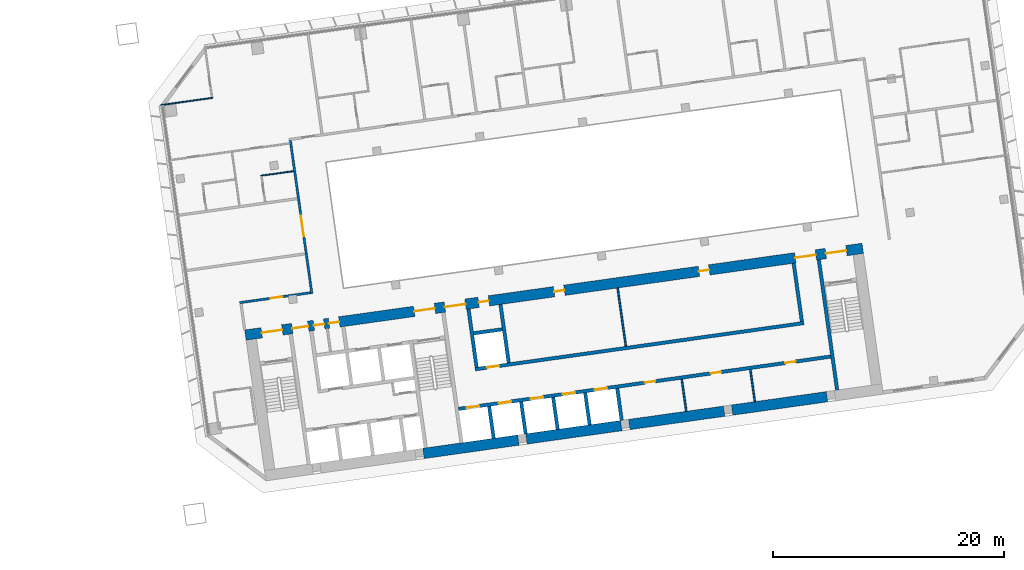
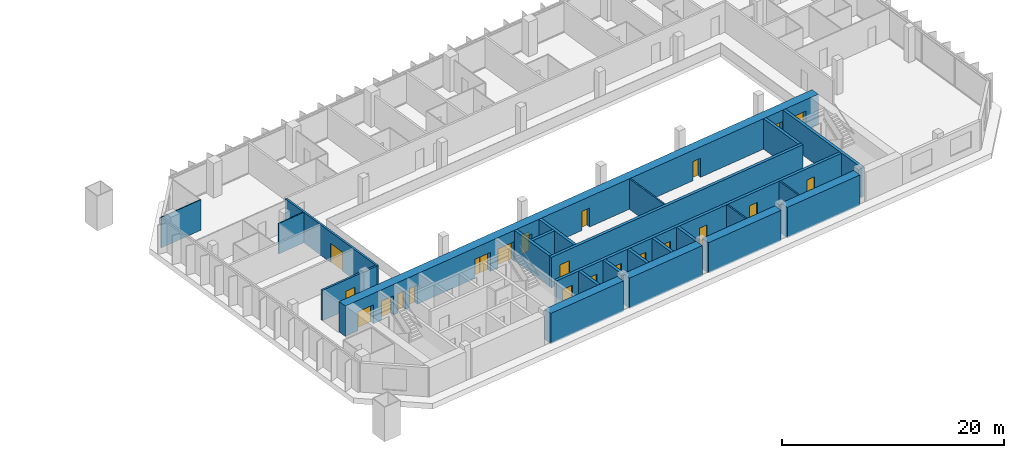
# One storey, part 19 of 24: 24 walls, 22 doors, 22 openings.
"""IFC4 building model written with IfcOpenShell, lengths in metres."""

from ifc_helpers import new_model, si_unit, direction, frame, frame_2d, origin, place, context, subcontext, project, spatial, rectangle, extrude, material, layer, layer_set, type_object, element, fill, save


model = new_model("IFC4")

# Units and contexts
model_context = context("Model", 3, precision=1e-05, world=origin(), true_north=direction((0.0, 1.0)))
body_context = subcontext(model_context, "Body", "Model", "MODEL_VIEW")
ifc_project = project(units=[si_unit("LENGTHUNIT", "METRE"), si_unit("AREAUNIT", "SQUARE_METRE"), si_unit("VOLUMEUNIT", "CUBIC_METRE"), si_unit("PLANEANGLEUNIT", "RADIAN"), si_unit("MASSUNIT", "GRAM", prefix="KILO")], contexts=[model_context])

# Site, building, storey
site_placement = place(None, origin())
site = spatial("IfcSite", under=ifc_project, at=site_placement, CompositionType="ELEMENT")
building_placement = place(site_placement, origin())
building = spatial("IfcBuilding", under=site, at=building_placement, Name="Mirante Cascada Hotel Towers", CompositionType="ELEMENT")
storey_placement = place(building_placement, frame((0.0, 0.0, 85.1)))
storey = spatial("IfcBuildingStorey", under=building, at=storey_placement, Name="L18", CompositionType="ELEMENT", Elevation=85.1)

# Wall, opening, door
ifc_material_1 = material(Name="Fire-rated plasterboard on metal studs")
ifc_layer_1 = layer(ifc_material_1, 0.2)
ifc_layer_set_1 = layer_set([ifc_layer_1], Name="Compartment wall 200 EI 120")
wall_type_1 = type_object("IfcWallType", Name="Compartment wall 200 EI 120", PredefinedType="PARTITIONING", material=ifc_layer_set_1)
wall_1_placement = place(storey_placement, frame((34.8304, -4.7545, 0.0), z_axis=(0.0, 0.0, 1.0), x_axis=(0.9902695, 0.1391629, 0.0)))
wall_1 = element("IfcWall", 1, at=wall_1_placement, inside=storey, type_object=wall_type_1, Name="Wall 2-L18-03", PredefinedType="PARTITIONING", context=body_context, shape_type="SweptSolid", body=[
    extrude(rectangle(XDim=6.1999, YDim=0.2, at=frame_2d((3.1, 0.0))), origin(), (0.0, 0.0, 1.0), 3.35),
])
opening_1_placement = place(wall_1_placement, frame((2.7, 0.0, 0.0)))
opening_1 = element("IfcOpeningElement", 2, at=opening_1_placement, cuts=wall_1, Name="Opening D2-L18-02", PredefinedType="OPENING", context=body_context, shape_type="SweptSolid", body=[
    extrude(rectangle(XDim=1.0, YDim=2.1, at=frame_2d((0.5, 1.05))), frame((0.0, 0.1, 0.0), z_axis=(0.0, -1.0, 0.0), x_axis=(1.0, 0.0, 0.0)), (0.0, 0.0, 1.0), 0.2),
])
ifc_material_2 = material(Name="Fire-rated timber door leaf", Category="wood")
door_type_1 = type_object("IfcDoorType", Name="Entrance door DG1 1000x2100 EI 60", OperationType="SINGLE_SWING_LEFT", PredefinedType="DOOR", material=ifc_material_2)
door_1_placement = place(opening_1_placement, frame((1.0, 0.0, 0.0), z_axis=(0.0, 0.0, 1.0), x_axis=(-1.0, 0.0, 0.0)))
door_1 = element("IfcDoor", 3, at=door_1_placement, inside=storey, type_object=door_type_1, Name="Door D2-L18-02", OperationType="SINGLE_SWING_RIGHT", OverallHeight=2.1, OverallWidth=1.0, PredefinedType="DOOR", context=body_context, shape_type="SweptSolid", body=[
    extrude(rectangle(XDim=1.0, YDim=2.1, at=frame_2d((0.5, 1.05))), frame((0.0, 0.025, 0.0), z_axis=(0.0, -1.0, 0.0), x_axis=(1.0, 0.0, 0.0)), (0.0, 0.0, 1.0), 0.05),
])
fill(opening_1, door_1)

wall_2_placement = place(storey_placement, frame((41.083, -3.9768, 0.0), z_axis=(0.0, 0.0, 1.0), x_axis=(-0.1391716, 0.9902683, 0.0)))
wall_2 = element("IfcWall", 4, at=wall_2_placement, inside=storey, type_object=wall_type_1, Name="Wall 2-L18-31", PredefinedType="PARTITIONING", context=body_context, shape_type="SweptSolid", body=[
    extrude(rectangle(XDim=13.4, YDim=0.2, at=frame_2d((6.7, 0.0))), origin(), (0.0, 0.0, 1.0), 3.35),
])
opening_2_placement = place(wall_2_placement, frame((5.0167, 0.0, 0.0)))
opening_2 = element("IfcOpeningElement", 5, at=opening_2_placement, cuts=wall_2, Name="Opening D2-L18-26", PredefinedType="OPENING", context=body_context, shape_type="SweptSolid", body=[
    extrude(rectangle(XDim=1.8, YDim=2.1, at=frame_2d((0.9, 1.05))), frame((0.0, 0.1, 0.0), z_axis=(0.0, -1.0, 0.0), x_axis=(1.0, 0.0, 0.0)), (0.0, 0.0, 1.0), 0.2),
])
ifc_material_3 = material(Name="Fire-rated timber door leaf", Category="wood")
door_type_2 = type_object("IfcDoorType", Name="Suite double door DG2 1800x2100 EI 60", OperationType="DOUBLE_DOOR_SINGLE_SWING", PredefinedType="DOOR", material=ifc_material_3)
door_2_placement = place(opening_2_placement, origin())
door_2 = element("IfcDoor", 6, at=door_2_placement, inside=storey, type_object=door_type_2, Name="Door D2-L18-26", OperationType="DOUBLE_DOOR_SINGLE_SWING", OverallHeight=2.1, OverallWidth=1.8, PredefinedType="DOOR", context=body_context, shape_type="SweptSolid", body=[
    extrude(rectangle(XDim=0.895, YDim=2.1, at=frame_2d((0.4475, 1.05))), frame((0.0, 0.025, 0.0), z_axis=(0.0, -1.0, 0.0), x_axis=(1.0, 0.0, 0.0)), (0.0, 0.0, 1.0), 0.05),
    extrude(rectangle(XDim=0.895, YDim=2.1, at=frame_2d((1.3525, 1.05))), frame((0.0, 0.025, 0.0), z_axis=(0.0, -1.0, 0.0), x_axis=(1.0, 0.0, 0.0)), (0.0, 0.0, 1.0), 0.05),
])
fill(opening_2, door_2)

# Walls
ifc_material_4 = material(Name="Masonry block", Category="masonry")
ifc_layer_2 = layer(ifc_material_4, 0.15)
ifc_layer_set_2 = layer_set([ifc_layer_2], Name="Core room partition 150 block EI 30")
wall_type_2 = type_object("IfcWallType", Name="Core room partition 150 block EI 30", PredefinedType="PARTITIONING", material=ifc_layer_set_2)
wall_3_placement = place(storey_placement, frame((73.5161, -14.1621, 0.0), z_axis=(0.0, 0.0, 1.0), x_axis=(-0.139176, 0.9902677, 0.0)))
element("IfcWall", 7, at=wall_3_placement, inside=storey, type_object=wall_type_2, Name="Core wall partition T2 L18 5", PredefinedType="PARTITIONING", context=body_context, shape_type="SweptSolid", body=[
    extrude(rectangle(XDim=2.8001, YDim=0.15, at=frame_2d((1.4, 0.0))), origin(), (0.0, 0.0, 1.0), 3.35),
])
wall_4_placement = place(storey_placement, frame((79.4577, -13.327, 0.0), z_axis=(0.0, 0.0, 1.0), x_axis=(-0.1391459, 0.9902719, 0.0)))
element("IfcWall", 8, at=wall_4_placement, inside=storey, type_object=wall_type_2, Name="Core wall partition T2 L18 6", PredefinedType="PARTITIONING", context=body_context, shape_type="SweptSolid", body=[
    extrude(rectangle(XDim=2.7999, YDim=0.15, at=frame_2d((1.4, 0.0))), origin(), (0.0, 0.0, 1.0), 3.35),
])
wall_5_placement = place(storey_placement, frame((68.2822, -8.5358, 0.0), z_axis=(0.0, 0.0, 1.0), x_axis=(-0.1391755, 0.9902677, 0.0)))
element("IfcWall", 9, at=wall_5_placement, inside=storey, type_object=wall_type_2, Name="Core wall partition T2 L18 7", PredefinedType="PARTITIONING", context=body_context, shape_type="SweptSolid", body=[
    extrude(rectangle(XDim=5.1, YDim=0.15, at=frame_2d((2.55, 0.0))), origin(), (0.0, 0.0, 1.0), 3.35),
])
ifc_material_5 = material(Name="Plasterboard on metal studs")
ifc_layer_3 = layer(ifc_material_5, 0.1)
ifc_layer_set_3 = layer_set([ifc_layer_3], Name="Partition 100")
wall_type_3 = type_object("IfcWallType", Name="Partition 100", PredefinedType="PARTITIONING", material=ifc_layer_set_3)
wall_6_placement = place(storey_placement, frame((36.6679, 6.2415, 0.0), z_axis=(0.0, 0.0, 1.0), x_axis=(0.9902704, 0.1391564, 0.0)))
element("IfcWall", 10, at=wall_6_placement, inside=storey, type_object=wall_type_3, Name="Wall 2-L18-11", PredefinedType="PARTITIONING", context=body_context, shape_type="SweptSolid", body=[
    extrude(rectangle(XDim=2.85, YDim=0.1, at=frame_2d((1.425, 0.0))), origin(), (0.0, 0.0, 1.0), 3.35),
])
wall_7_placement = place(storey_placement, frame((27.982, 12.3589, 0.0), z_axis=(0.0, 0.0, 1.0), x_axis=(0.9902691, 0.1391656, 0.0)))
element("IfcWall", 11, at=wall_7_placement, inside=storey, type_object=wall_type_3, Name="Wall 2-L18-23", PredefinedType="PARTITIONING", context=body_context, shape_type="SweptSolid", body=[
    extrude(rectangle(XDim=4.55, YDim=0.1, at=frame_2d((2.275, 0.0))), origin(), (0.0, 0.0, 1.0), 3.35),
])
ifc_material_6 = material(Name="Concrete C50/60", Category="concrete")
ifc_layer_4 = layer(ifc_material_6, 0.3)
ifc_layer_set_4 = layer_set([ifc_layer_4], Name="RC core wall 300 C50/60")
wall_type_4 = type_object("IfcWallType", Name="RC core wall 300 C50/60", PredefinedType="SHEAR", material=ifc_layer_set_4)
wall_8_placement = place(storey_placement, frame((86.5877, -12.325, 0.0), z_axis=(0.0, 0.0, 1.0), x_axis=(-0.1391749, 0.9902678, 0.0)))
element("IfcWall", 12, at=wall_8_placement, inside=storey, type_object=wall_type_4, Name="Core wall T2:L18:8", PredefinedType="SHEAR", context=body_context, shape_type="SweptSolid", body=[
    extrude(rectangle(XDim=11.4, YDim=0.3, at=frame_2d((5.7, 0.0))), origin(), (0.0, 0.0, 1.0), 3.35),
])

# Wall, openings, doors
wall_9_placement = place(storey_placement, frame((53.7953, -13.9547, 0.0), z_axis=(0.0, 0.0, 1.0), x_axis=(0.990268, 0.1391733, 0.0)))
wall_9 = element("IfcWall", 13, at=wall_9_placement, inside=storey, type_object=wall_type_4, Name="Core wall T2:L18:25", PredefinedType="SHEAR", context=body_context, shape_type="SweptSolid", body=[
    extrude(rectangle(XDim=32.5501, YDim=0.3, at=frame_2d((16.275, 0.0))), origin(), (0.0, 0.0, 1.0), 3.35),
])
opening_3_placement = place(wall_9_placement, frame((0.7, 0.0, 0.0)))
opening_3 = element("IfcOpeningElement", 14, at=opening_3_placement, cuts=wall_9, Name="Opening LD", PredefinedType="OPENING", context=body_context, shape_type="SweptSolid", body=[
    extrude(rectangle(XDim=1.1, YDim=2.1, at=frame_2d((0.55, 1.05))), frame((0.0, 0.15, 0.0), z_axis=(0.0, -1.0, 0.0), x_axis=(1.0, 0.0, 0.0)), (0.0, 0.0, 1.0), 0.3),
])
opening_4_placement = place(wall_9_placement, frame((3.5, 0.0, 0.0)))
opening_4 = element("IfcOpeningElement", 15, at=opening_4_placement, cuts=wall_9, Name="Opening LD", PredefinedType="OPENING", context=body_context, shape_type="SweptSolid", body=[
    extrude(rectangle(XDim=1.1, YDim=2.1, at=frame_2d((0.55, 1.05))), frame((0.0, 0.15, 0.0), z_axis=(0.0, -1.0, 0.0), x_axis=(1.0, 0.0, 0.0)), (0.0, 0.0, 1.0), 0.3),
])
opening_5_placement = place(wall_9_placement, frame((6.3, 0.0, 0.0)))
opening_5 = element("IfcOpeningElement", 16, at=opening_5_placement, cuts=wall_9, Name="Opening LD", PredefinedType="OPENING", context=body_context, shape_type="SweptSolid", body=[
    extrude(rectangle(XDim=1.1, YDim=2.1, at=frame_2d((0.55, 1.05))), frame((0.0, 0.15, 0.0), z_axis=(0.0, -1.0, 0.0), x_axis=(1.0, 0.0, 0.0)), (0.0, 0.0, 1.0), 0.3),
])
opening_6_placement = place(wall_9_placement, frame((9.1, 0.0, 0.0)))
opening_6 = element("IfcOpeningElement", 17, at=opening_6_placement, cuts=wall_9, Name="Opening LD", PredefinedType="OPENING", context=body_context, shape_type="SweptSolid", body=[
    extrude(rectangle(XDim=1.1, YDim=2.1, at=frame_2d((0.55, 1.05))), frame((0.0, 0.15, 0.0), z_axis=(0.0, -1.0, 0.0), x_axis=(1.0, 0.0, 0.0)), (0.0, 0.0, 1.0), 0.3),
])
opening_7_placement = place(wall_9_placement, frame((11.9, 0.0, 0.0)))
opening_7 = element("IfcOpeningElement", 18, at=opening_7_placement, cuts=wall_9, Name="Opening LD", PredefinedType="OPENING", context=body_context, shape_type="SweptSolid", body=[
    extrude(rectangle(XDim=1.1, YDim=2.1, at=frame_2d((0.55, 1.05))), frame((0.0, 0.15, 0.0), z_axis=(0.0, -1.0, 0.0), x_axis=(1.0, 0.0, 0.0)), (0.0, 0.0, 1.0), 0.3),
])
opening_8_placement = place(wall_9_placement, frame((16.3, 0.0, 0.0)))
opening_8 = element("IfcOpeningElement", 19, at=opening_8_placement, cuts=wall_9, Name="Opening D2-18-C26", PredefinedType="OPENING", context=body_context, shape_type="SweptSolid", body=[
    extrude(rectangle(XDim=0.9, YDim=2.1, at=frame_2d((0.45, 1.05))), frame((0.0, 0.15, 0.0), z_axis=(0.0, -1.0, 0.0), x_axis=(1.0, 0.0, 0.0)), (0.0, 0.0, 1.0), 0.3),
])
opening_9_placement = place(wall_9_placement, frame((22.05, 0.0, 0.0)))
opening_9 = element("IfcOpeningElement", 20, at=opening_9_placement, cuts=wall_9, Name="Opening D2-18-C27", PredefinedType="OPENING", context=body_context, shape_type="SweptSolid", body=[
    extrude(rectangle(XDim=0.9, YDim=2.1, at=frame_2d((0.45, 1.05))), frame((0.0, 0.15, 0.0), z_axis=(0.0, -1.0, 0.0), x_axis=(1.0, 0.0, 0.0)), (0.0, 0.0, 1.0), 0.3),
])
opening_10_placement = place(wall_9_placement, frame((28.575, 0.0, 0.0)))
opening_10 = element("IfcOpeningElement", 21, at=opening_10_placement, cuts=wall_9, Name="Opening D2-18-C28", PredefinedType="OPENING", context=body_context, shape_type="SweptSolid", body=[
    extrude(rectangle(XDim=0.9, YDim=2.1, at=frame_2d((0.45, 1.05))), frame((0.0, 0.15, 0.0), z_axis=(0.0, -1.0, 0.0), x_axis=(1.0, 0.0, 0.0)), (0.0, 0.0, 1.0), 0.3),
])
ifc_material_7 = material(Name="Hollow metal fire door leaf")
door_type_3 = type_object("IfcDoorType", Name="Fire door 900x2100 FD60", OperationType="NOTDEFINED", PredefinedType="DOOR", material=ifc_material_7)
door_3_placement = place(opening_8_placement, frame((0.9, 0.0, 0.0), z_axis=(0.0, 0.0, 1.0), x_axis=(-1.0, 0.0, 0.0)))
door_3 = element("IfcDoor", 22, at=door_3_placement, inside=storey, type_object=door_type_3, Name="Room door T2 L18 26", OperationType="SINGLE_SWING_LEFT", OverallHeight=2.1, OverallWidth=0.9, PredefinedType="DOOR", context=body_context, shape_type="SweptSolid", body=[
    extrude(rectangle(XDim=0.9, YDim=2.1, at=frame_2d((0.45, 1.05))), frame((0.0, 0.025, 0.0), z_axis=(0.0, -1.0, 0.0), x_axis=(1.0, 0.0, 0.0)), (0.0, 0.0, 1.0), 0.05),
])
fill(opening_8, door_3)
door_4_placement = place(opening_9_placement, frame((0.9, 0.0, 0.0), z_axis=(0.0, 0.0, 1.0), x_axis=(-1.0, 0.0, 0.0)))
door_4 = element("IfcDoor", 23, at=door_4_placement, inside=storey, type_object=door_type_3, Name="Room door T2 L18 27", OperationType="SINGLE_SWING_RIGHT", OverallHeight=2.1, OverallWidth=0.9, PredefinedType="DOOR", context=body_context, shape_type="SweptSolid", body=[
    extrude(rectangle(XDim=0.9, YDim=2.1, at=frame_2d((0.45, 1.05))), frame((0.0, 0.025, 0.0), z_axis=(0.0, -1.0, 0.0), x_axis=(1.0, 0.0, 0.0)), (0.0, 0.0, 1.0), 0.05),
])
fill(opening_9, door_4)
door_5_placement = place(opening_10_placement, frame((0.9, 0.0, 0.0), z_axis=(0.0, 0.0, 1.0), x_axis=(-1.0, 0.0, 0.0)))
door_5 = element("IfcDoor", 24, at=door_5_placement, inside=storey, type_object=door_type_3, Name="Room door T2 L18 28", OperationType="SINGLE_SWING_RIGHT", OverallHeight=2.1, OverallWidth=0.9, PredefinedType="DOOR", context=body_context, shape_type="SweptSolid", body=[
    extrude(rectangle(XDim=0.9, YDim=2.1, at=frame_2d((0.45, 1.05))), frame((0.0, 0.025, 0.0), z_axis=(0.0, -1.0, 0.0), x_axis=(1.0, 0.0, 0.0)), (0.0, 0.0, 1.0), 0.05),
])
fill(opening_10, door_5)
ifc_material_8 = material(Name="Stainless steel", Category="steel")
door_type_4 = type_object("IfcDoorType", Name="Lift landing door 1100x2100 EI 120", OperationType="DOUBLE_DOOR_SLIDING", PredefinedType="DOOR", material=ifc_material_8)
door_6_placement = place(opening_3_placement, origin())
door_6 = element("IfcDoor", 25, at=door_6_placement, inside=storey, type_object=door_type_4, Name="Lift landing door LR2-1 L18", OperationType="DOUBLE_DOOR_SLIDING", OverallHeight=2.1, OverallWidth=1.1, PredefinedType="DOOR", context=body_context, shape_type="SweptSolid", body=[
    extrude(rectangle(XDim=0.545, YDim=2.1, at=frame_2d((0.2725, 1.05))), frame((0.0, 0.025, 0.0), z_axis=(0.0, -1.0, 0.0), x_axis=(1.0, 0.0, 0.0)), (0.0, 0.0, 1.0), 0.05),
    extrude(rectangle(XDim=0.545, YDim=2.1, at=frame_2d((0.8275, 1.05))), frame((0.0, 0.025, 0.0), z_axis=(0.0, -1.0, 0.0), x_axis=(1.0, 0.0, 0.0)), (0.0, 0.0, 1.0), 0.05),
])
fill(opening_3, door_6)
door_7_placement = place(opening_4_placement, origin())
door_7 = element("IfcDoor", 26, at=door_7_placement, inside=storey, type_object=door_type_4, Name="Lift landing door LR2-2 L18", OperationType="DOUBLE_DOOR_SLIDING", OverallHeight=2.1, OverallWidth=1.1, PredefinedType="DOOR", context=body_context, shape_type="SweptSolid", body=[
    extrude(rectangle(XDim=0.545, YDim=2.1, at=frame_2d((0.2725, 1.05))), frame((0.0, 0.025, 0.0), z_axis=(0.0, -1.0, 0.0), x_axis=(1.0, 0.0, 0.0)), (0.0, 0.0, 1.0), 0.05),
    extrude(rectangle(XDim=0.545, YDim=2.1, at=frame_2d((0.8275, 1.05))), frame((0.0, 0.025, 0.0), z_axis=(0.0, -1.0, 0.0), x_axis=(1.0, 0.0, 0.0)), (0.0, 0.0, 1.0), 0.05),
])
fill(opening_4, door_7)
door_8_placement = place(opening_5_placement, origin())
door_8 = element("IfcDoor", 27, at=door_8_placement, inside=storey, type_object=door_type_4, Name="Lift landing door SV2-1 L18", OperationType="DOUBLE_DOOR_SLIDING", OverallHeight=2.1, OverallWidth=1.1, PredefinedType="DOOR", context=body_context, shape_type="SweptSolid", body=[
    extrude(rectangle(XDim=0.545, YDim=2.1, at=frame_2d((0.2725, 1.05))), frame((0.0, 0.025, 0.0), z_axis=(0.0, -1.0, 0.0), x_axis=(1.0, 0.0, 0.0)), (0.0, 0.0, 1.0), 0.05),
    extrude(rectangle(XDim=0.545, YDim=2.1, at=frame_2d((0.8275, 1.05))), frame((0.0, 0.025, 0.0), z_axis=(0.0, -1.0, 0.0), x_axis=(1.0, 0.0, 0.0)), (0.0, 0.0, 1.0), 0.05),
])
fill(opening_5, door_8)
door_9_placement = place(opening_6_placement, origin())
door_9 = element("IfcDoor", 28, at=door_9_placement, inside=storey, type_object=door_type_4, Name="Lift landing door SV2-2 L18", OperationType="DOUBLE_DOOR_SLIDING", OverallHeight=2.1, OverallWidth=1.1, PredefinedType="DOOR", context=body_context, shape_type="SweptSolid", body=[
    extrude(rectangle(XDim=0.545, YDim=2.1, at=frame_2d((0.2725, 1.05))), frame((0.0, 0.025, 0.0), z_axis=(0.0, -1.0, 0.0), x_axis=(1.0, 0.0, 0.0)), (0.0, 0.0, 1.0), 0.05),
    extrude(rectangle(XDim=0.545, YDim=2.1, at=frame_2d((0.8275, 1.05))), frame((0.0, 0.025, 0.0), z_axis=(0.0, -1.0, 0.0), x_axis=(1.0, 0.0, 0.0)), (0.0, 0.0, 1.0), 0.05),
])
fill(opening_6, door_9)
door_10_placement = place(opening_7_placement, origin())
door_10 = element("IfcDoor", 29, at=door_10_placement, inside=storey, type_object=door_type_4, Name="Lift landing door SV2-3 L18", OperationType="DOUBLE_DOOR_SLIDING", OverallHeight=2.1, OverallWidth=1.1, PredefinedType="DOOR", context=body_context, shape_type="SweptSolid", body=[
    extrude(rectangle(XDim=0.545, YDim=2.1, at=frame_2d((0.2725, 1.05))), frame((0.0, 0.025, 0.0), z_axis=(0.0, -1.0, 0.0), x_axis=(1.0, 0.0, 0.0)), (0.0, 0.0, 1.0), 0.05),
    extrude(rectangle(XDim=0.545, YDim=2.1, at=frame_2d((0.8275, 1.05))), frame((0.0, 0.025, 0.0), z_axis=(0.0, -1.0, 0.0), x_axis=(1.0, 0.0, 0.0)), (0.0, 0.0, 1.0), 0.05),
])
fill(opening_7, door_10)

# Walls
for number, where, z_axis, x_axis, name in (
    (30, (56.8301, -16.5072, 0.0), (0.0, 0.0, 1.0), (-0.139176, 0.9902677, 0.0), "Core wall T2:L18:26"),
    (31, (59.6029, -16.1175, 0.0), (0.0, 0.0, 1.0), (-0.139176, 0.9902677, 0.0), "Core wall T2:L18:27"),
    (32, (62.3756, -15.7278, 0.0), (0.0, 0.0, 1.0), (-0.139176, 0.9902677, 0.0), "Core wall T2:L18:28"),
    (33, (65.1484, -15.3381, 0.0), (0.0, 0.0, 1.0), (-0.139176, 0.9902677, 0.0), "Core wall T2:L18:29"),
):
    element("IfcWall", number, at=place(storey_placement, frame(where, z_axis=z_axis, x_axis=x_axis)), inside=storey, type_object=wall_type_4, Name=name, PredefinedType="SHEAR", context=body_context, shape_type="SweptSolid", body=[
        extrude(rectangle(XDim=2.8001, YDim=0.3, at=frame_2d((1.4, 0.0))), origin(), (0.0, 0.0, 1.0), 3.35),
    ])
wall_10_placement = place(storey_placement, frame((67.9211, -14.9484, 0.0), z_axis=(0.0, 0.0, 1.0), x_axis=(-0.139181, 0.990267, 0.0)))
element("IfcWall", 34, at=wall_10_placement, inside=storey, type_object=wall_type_4, Name="Core wall T2:L18:30", PredefinedType="SHEAR", context=body_context, shape_type="SweptSolid", body=[
    extrude(rectangle(XDim=2.8, YDim=0.3, at=frame_2d((1.4, 0.0))), origin(), (0.0, 0.0, 1.0), 3.35),
])

# Wall, opening, door
wall_11_placement = place(storey_placement, frame((55.2315, -10.5214, 0.0), z_axis=(0.0, 0.0, 1.0), x_axis=(0.9902682, 0.1391722, 0.0)))
wall_11 = element("IfcWall", 35, at=wall_11_placement, inside=storey, type_object=wall_type_4, Name="Core wall T2:L18:33", PredefinedType="SHEAR", context=body_context, shape_type="SweptSolid", body=[
    extrude(rectangle(XDim=28.75, YDim=0.3, at=frame_2d((14.375, 0.0))), origin(), (0.0, 0.0, 1.0), 3.35),
])
opening_11_placement = place(wall_11_placement, frame((1.0, 0.0, 0.0)))
opening_11 = element("IfcOpeningElement", 36, at=opening_11_placement, cuts=wall_11, Name="Opening LD", PredefinedType="OPENING", context=body_context, shape_type="SweptSolid", body=[
    extrude(rectangle(XDim=1.1, YDim=2.1, at=frame_2d((0.55, 1.05))), frame((0.0, 0.15, 0.0), z_axis=(0.0, -1.0, 0.0), x_axis=(1.0, 0.0, 0.0)), (0.0, 0.0, 1.0), 0.3),
])
door_11_placement = place(opening_11_placement, origin())
door_11 = element("IfcDoor", 37, at=door_11_placement, inside=storey, type_object=door_type_4, Name="Lift landing door LR2-3 L18", OperationType="DOUBLE_DOOR_SLIDING", OverallHeight=2.1, OverallWidth=1.1, PredefinedType="DOOR", context=body_context, shape_type="SweptSolid", body=[
    extrude(rectangle(XDim=0.545, YDim=2.1, at=frame_2d((0.2725, 1.05))), frame((0.0, 0.025, 0.0), z_axis=(0.0, -1.0, 0.0), x_axis=(1.0, 0.0, 0.0)), (0.0, 0.0, 1.0), 0.05),
    extrude(rectangle(XDim=0.545, YDim=2.1, at=frame_2d((0.8275, 1.05))), frame((0.0, 0.025, 0.0), z_axis=(0.0, -1.0, 0.0), x_axis=(1.0, 0.0, 0.0)), (0.0, 0.0, 1.0), 0.05),
])
fill(opening_11, door_11)

# Walls
for number, where, z_axis, x_axis, name in (
    (38, (55.3592, -10.352, 0.0), (0.0, 0.0, 1.0), (-0.1391755, 0.9902677, 0.0), "Core wall T2:L18:34"),
    (39, (83.5323, -6.3925, 0.0), (0.0, 0.0, 1.0), (-0.1391755, 0.9902677, 0.0), "Core wall T2:L18:35"),
    (40, (58.1319, -9.9623, 0.0), (0.0, 0.0, 1.0), (-0.1391755, 0.9902677, 0.0), "Core wall T2:L18:36"),
):
    element("IfcWall", number, at=place(storey_placement, frame(where, z_axis=z_axis, x_axis=x_axis)), inside=storey, type_object=wall_type_4, Name=name, PredefinedType="SHEAR", context=body_context, shape_type="SweptSolid", body=[
        extrude(rectangle(XDim=5.1, YDim=0.3, at=frame_2d((2.55, 0.0))), origin(), (0.0, 0.0, 1.0), 3.35),
    ])
wall_12_placement = place(storey_placement, frame((55.0971, -7.4098, 0.0), z_axis=(0.0, 0.0, 1.0), x_axis=(0.9902701, 0.1391586, 0.0)))
element("IfcWall", 41, at=wall_12_placement, inside=storey, type_object=wall_type_4, Name="Core wall T2:L18:37", PredefinedType="SHEAR", context=body_context, shape_type="SweptSolid", body=[
    extrude(rectangle(XDim=2.5, YDim=0.3, at=frame_2d((1.25, 0.0))), origin(), (0.0, 0.0, 1.0), 3.35),
])
ifc_material_9 = material(Name="Concrete C50/60", Category="concrete")
ifc_layer_5 = layer(ifc_material_9, 0.9)
ifc_layer_set_5 = layer_set([ifc_layer_5], Name="RC core wall 900 C50/60")
wall_type_5 = type_object("IfcWallType", Name="RC core wall 900 C50/60", PredefinedType="SHEAR", material=ifc_layer_set_5)
for number, where, z_axis, x_axis, name in (
    (42, (50.7531, -17.8156, 0.0), (0.0, 0.0, 1.0), (0.9902686, 0.1391692, 0.0), "Core wall T2:L18:1.3"),
    (43, (59.6655, -16.5631, 0.0), (0.0, 0.0, 1.0), (0.9902686, 0.1391692, 0.0), "Core wall T2:L18:1.4"),
    (44, (68.5779, -15.3105, 0.0), (0.0, 0.0, 1.0), (0.9902686, 0.1391692, 0.0), "Core wall T2:L18:1.5"),
    (45, (77.4903, -14.058, 0.0), (0.0, 0.0, 1.0), (0.990267, 0.139181, 0.0), "Core wall T2:L18:1.6"),
):
    element("IfcWall", number, at=place(storey_placement, frame(where, z_axis=z_axis, x_axis=x_axis)), inside=storey, type_object=wall_type_5, Name=name, PredefinedType="SHEAR", context=body_context, shape_type="SweptSolid", body=[
        extrude(rectangle(XDim=8.3, YDim=0.9, at=frame_2d((4.15, 0.0))), origin(), (0.0, 0.0, 1.0), 3.35),
    ])

# Wall, openings, doors
wall_13_placement = place(storey_placement, frame((35.326, -7.5629, 0.0), z_axis=(0.0, 0.0, 1.0), x_axis=(0.9902679, 0.139174, 0.0)))
wall_13 = element("IfcWall", 46, at=wall_13_placement, inside=storey, type_object=wall_type_5, Name="Core wall T2:L18:2", PredefinedType="SHEAR", context=body_context, shape_type="SweptSolid", body=[
    extrude(rectangle(XDim=54.0, YDim=0.9, at=frame_2d((27.0, 0.0))), origin(), (0.0, 0.0, 1.0), 3.35),
])
opening_12_placement = place(wall_13_placement, frame((1.425, 0.0, 0.0)))
opening_12 = element("IfcOpeningElement", 47, at=opening_12_placement, cuts=wall_13, Name="Opening D2-18-C14", PredefinedType="OPENING", context=body_context, shape_type="SweptSolid", body=[
    extrude(rectangle(XDim=1.8, YDim=2.1, at=frame_2d((0.9, 1.05))), frame((0.0, 0.45, 0.0), z_axis=(0.0, -1.0, 0.0), x_axis=(1.0, 0.0, 0.0)), (0.0, 0.0, 1.0), 0.9),
])
opening_13_placement = place(wall_13_placement, frame((14.775, 0.0, 0.0)))
opening_13 = element("IfcOpeningElement", 48, at=opening_13_placement, cuts=wall_13, Name="Opening D2-18-C16", PredefinedType="OPENING", context=body_context, shape_type="SweptSolid", body=[
    extrude(rectangle(XDim=1.8, YDim=2.1, at=frame_2d((0.9, 1.05))), frame((0.0, 0.45, 0.0), z_axis=(0.0, -1.0, 0.0), x_axis=(1.0, 0.0, 0.0)), (0.0, 0.0, 1.0), 0.9),
])
opening_14_placement = place(wall_13_placement, frame((50.775, 0.0, 0.0)))
opening_14 = element("IfcOpeningElement", 49, at=opening_14_placement, cuts=wall_13, Name="Opening D2-18-C18", PredefinedType="OPENING", context=body_context, shape_type="SweptSolid", body=[
    extrude(rectangle(XDim=1.8, YDim=2.1, at=frame_2d((0.9, 1.05))), frame((0.0, 0.45, 0.0), z_axis=(0.0, -1.0, 0.0), x_axis=(1.0, 0.0, 0.0)), (0.0, 0.0, 1.0), 0.9),
])
opening_15_placement = place(wall_13_placement, frame((4.1, 0.0, 0.0)))
opening_15 = element("IfcOpeningElement", 50, at=opening_15_placement, cuts=wall_13, Name="Opening D2-18-C19", PredefinedType="OPENING", context=body_context, shape_type="SweptSolid", body=[
    extrude(rectangle(XDim=1.4, YDim=2.1, at=frame_2d((0.7, 1.05))), frame((0.0, 0.45, 0.0), z_axis=(0.0, -1.0, 0.0), x_axis=(1.0, 0.0, 0.0)), (0.0, 0.0, 1.0), 0.9),
])
opening_16_placement = place(wall_13_placement, frame((17.45, 0.0, 0.0)))
opening_16 = element("IfcOpeningElement", 51, at=opening_16_placement, cuts=wall_13, Name="Opening D2-18-C20", PredefinedType="OPENING", context=body_context, shape_type="SweptSolid", body=[
    extrude(rectangle(XDim=1.8, YDim=2.1, at=frame_2d((0.9, 1.05))), frame((0.0, 0.45, 0.0), z_axis=(0.0, -1.0, 0.0), x_axis=(1.0, 0.0, 0.0)), (0.0, 0.0, 1.0), 0.9),
])
opening_17_placement = place(wall_13_placement, frame((48.1, 0.0, 0.0)))
opening_17 = element("IfcOpeningElement", 52, at=opening_17_placement, cuts=wall_13, Name="Opening D2-18-C21", PredefinedType="OPENING", context=body_context, shape_type="SweptSolid", body=[
    extrude(rectangle(XDim=1.8, YDim=2.1, at=frame_2d((0.9, 1.05))), frame((0.0, 0.45, 0.0), z_axis=(0.0, -1.0, 0.0), x_axis=(1.0, 0.0, 0.0)), (0.0, 0.0, 1.0), 0.9),
])
opening_18_placement = place(wall_13_placement, frame((5.9875, 0.0, 0.0)))
opening_18 = element("IfcOpeningElement", 53, at=opening_18_placement, cuts=wall_13, Name="Opening D2-18-C24", PredefinedType="OPENING", context=body_context, shape_type="SweptSolid", body=[
    extrude(rectangle(XDim=0.9, YDim=2.1, at=frame_2d((0.45, 1.05))), frame((0.0, 0.45, 0.0), z_axis=(0.0, -1.0, 0.0), x_axis=(1.0, 0.0, 0.0)), (0.0, 0.0, 1.0), 0.9),
])
opening_19_placement = place(wall_13_placement, frame((7.3125, 0.0, 0.0)))
opening_19 = element("IfcOpeningElement", 54, at=opening_19_placement, cuts=wall_13, Name="Opening D2-18-C25", PredefinedType="OPENING", context=body_context, shape_type="SweptSolid", body=[
    extrude(rectangle(XDim=0.9, YDim=2.1, at=frame_2d((0.45, 1.05))), frame((0.0, 0.45, 0.0), z_axis=(0.0, -1.0, 0.0), x_axis=(1.0, 0.0, 0.0)), (0.0, 0.0, 1.0), 0.9),
])
opening_20_placement = place(wall_13_placement, frame((20.4, 0.0, 0.0)))
opening_20 = element("IfcOpeningElement", 55, at=opening_20_placement, cuts=wall_13, Name="Opening D2-18-C29", PredefinedType="OPENING", context=body_context, shape_type="SweptSolid", body=[
    extrude(rectangle(XDim=0.9, YDim=2.1, at=frame_2d((0.45, 1.05))), frame((0.0, 0.45, 0.0), z_axis=(0.0, -1.0, 0.0), x_axis=(1.0, 0.0, 0.0)), (0.0, 0.0, 1.0), 0.9),
])
opening_21_placement = place(wall_13_placement, frame((27.0, 0.0, 0.0)))
opening_21 = element("IfcOpeningElement", 56, at=opening_21_placement, cuts=wall_13, Name="Opening D2-18-C30", PredefinedType="OPENING", context=body_context, shape_type="SweptSolid", body=[
    extrude(rectangle(XDim=0.9, YDim=2.1, at=frame_2d((0.45, 1.05))), frame((0.0, 0.45, 0.0), z_axis=(0.0, -1.0, 0.0), x_axis=(1.0, 0.0, 0.0)), (0.0, 0.0, 1.0), 0.9),
])
opening_22_placement = place(wall_13_placement, frame((39.675, 0.0, 0.0)))
opening_22 = element("IfcOpeningElement", 57, at=opening_22_placement, cuts=wall_13, Name="Opening D2-18-C31", PredefinedType="OPENING", context=body_context, shape_type="SweptSolid", body=[
    extrude(rectangle(XDim=0.9, YDim=2.1, at=frame_2d((0.45, 1.05))), frame((0.0, 0.45, 0.0), z_axis=(0.0, -1.0, 0.0), x_axis=(1.0, 0.0, 0.0)), (0.0, 0.0, 1.0), 0.9),
])
ifc_material_10 = material(Name="Hollow metal fire door leaf")
door_type_5 = type_object("IfcDoorType", Name="Double fire door 1400x2100 FD60", OperationType="DOUBLE_DOOR_SINGLE_SWING", PredefinedType="DOOR", material=ifc_material_10)
door_12_placement = place(opening_15_placement, origin())
door_12 = element("IfcDoor", 58, at=door_12_placement, inside=storey, type_object=door_type_5, Name="Exit door to gallery T2 L18 19", OperationType="DOUBLE_DOOR_SINGLE_SWING", OverallHeight=2.1, OverallWidth=1.4, PredefinedType="DOOR", context=body_context, shape_type="SweptSolid", body=[
    extrude(rectangle(XDim=0.695, YDim=2.1, at=frame_2d((0.3475, 1.05))), frame((0.0, 0.025, 0.0), z_axis=(0.0, -1.0, 0.0), x_axis=(1.0, 0.0, 0.0)), (0.0, 0.0, 1.0), 0.05),
    extrude(rectangle(XDim=0.695, YDim=2.1, at=frame_2d((1.0525, 1.05))), frame((0.0, 0.025, 0.0), z_axis=(0.0, -1.0, 0.0), x_axis=(1.0, 0.0, 0.0)), (0.0, 0.0, 1.0), 0.05),
])
fill(opening_15, door_12)
ifc_material_11 = material(Name="Hollow metal fire door leaf")
door_type_6 = type_object("IfcDoorType", Name="Double fire door 1800x2100 FD60", OperationType="DOUBLE_DOOR_SINGLE_SWING", PredefinedType="DOOR", material=ifc_material_11)
door_13_placement = place(opening_12_placement, frame((1.8, 0.0, 0.0), z_axis=(0.0, 0.0, 1.0), x_axis=(-1.0, 0.0, 0.0)))
door_13 = element("IfcDoor", 59, at=door_13_placement, inside=storey, type_object=door_type_6, Name="Exit door to gallery T2 L18 14", OperationType="DOUBLE_DOOR_SINGLE_SWING", OverallHeight=2.1, OverallWidth=1.8, PredefinedType="DOOR", context=body_context, shape_type="SweptSolid", body=[
    extrude(rectangle(XDim=0.895, YDim=2.1, at=frame_2d((0.4475, 1.05))), frame((0.0, 0.025, 0.0), z_axis=(0.0, -1.0, 0.0), x_axis=(1.0, 0.0, 0.0)), (0.0, 0.0, 1.0), 0.05),
    extrude(rectangle(XDim=0.895, YDim=2.1, at=frame_2d((1.3525, 1.05))), frame((0.0, 0.025, 0.0), z_axis=(0.0, -1.0, 0.0), x_axis=(1.0, 0.0, 0.0)), (0.0, 0.0, 1.0), 0.05),
])
fill(opening_12, door_13)
door_14_placement = place(opening_13_placement, frame((1.8, 0.0, 0.0), z_axis=(0.0, 0.0, 1.0), x_axis=(-1.0, 0.0, 0.0)))
door_14 = element("IfcDoor", 60, at=door_14_placement, inside=storey, type_object=door_type_6, Name="Exit door to gallery T2 L18 16", OperationType="DOUBLE_DOOR_SINGLE_SWING", OverallHeight=2.1, OverallWidth=1.8, PredefinedType="DOOR", context=body_context, shape_type="SweptSolid", body=[
    extrude(rectangle(XDim=0.895, YDim=2.1, at=frame_2d((0.4475, 1.05))), frame((0.0, 0.025, 0.0), z_axis=(0.0, -1.0, 0.0), x_axis=(1.0, 0.0, 0.0)), (0.0, 0.0, 1.0), 0.05),
    extrude(rectangle(XDim=0.895, YDim=2.1, at=frame_2d((1.3525, 1.05))), frame((0.0, 0.025, 0.0), z_axis=(0.0, -1.0, 0.0), x_axis=(1.0, 0.0, 0.0)), (0.0, 0.0, 1.0), 0.05),
])
fill(opening_13, door_14)
door_15_placement = place(opening_14_placement, frame((1.8, 0.0, 0.0), z_axis=(0.0, 0.0, 1.0), x_axis=(-1.0, 0.0, 0.0)))
door_15 = element("IfcDoor", 61, at=door_15_placement, inside=storey, type_object=door_type_6, Name="Exit door to gallery T2 L18 18", OperationType="DOUBLE_DOOR_SINGLE_SWING", OverallHeight=2.1, OverallWidth=1.8, PredefinedType="DOOR", context=body_context, shape_type="SweptSolid", body=[
    extrude(rectangle(XDim=0.895, YDim=2.1, at=frame_2d((0.4475, 1.05))), frame((0.0, 0.025, 0.0), z_axis=(0.0, -1.0, 0.0), x_axis=(1.0, 0.0, 0.0)), (0.0, 0.0, 1.0), 0.05),
    extrude(rectangle(XDim=0.895, YDim=2.1, at=frame_2d((1.3525, 1.05))), frame((0.0, 0.025, 0.0), z_axis=(0.0, -1.0, 0.0), x_axis=(1.0, 0.0, 0.0)), (0.0, 0.0, 1.0), 0.05),
])
fill(opening_14, door_15)
door_16_placement = place(opening_16_placement, origin())
door_16 = element("IfcDoor", 62, at=door_16_placement, inside=storey, type_object=door_type_6, Name="Exit door to gallery T2 L18 20", OperationType="DOUBLE_DOOR_SINGLE_SWING", OverallHeight=2.1, OverallWidth=1.8, PredefinedType="DOOR", context=body_context, shape_type="SweptSolid", body=[
    extrude(rectangle(XDim=0.895, YDim=2.1, at=frame_2d((0.4475, 1.05))), frame((0.0, 0.025, 0.0), z_axis=(0.0, -1.0, 0.0), x_axis=(1.0, 0.0, 0.0)), (0.0, 0.0, 1.0), 0.05),
    extrude(rectangle(XDim=0.895, YDim=2.1, at=frame_2d((1.3525, 1.05))), frame((0.0, 0.025, 0.0), z_axis=(0.0, -1.0, 0.0), x_axis=(1.0, 0.0, 0.0)), (0.0, 0.0, 1.0), 0.05),
])
fill(opening_16, door_16)
door_17_placement = place(opening_17_placement, origin())
door_17 = element("IfcDoor", 63, at=door_17_placement, inside=storey, type_object=door_type_6, Name="Exit door to gallery T2 L18 21", OperationType="DOUBLE_DOOR_SINGLE_SWING", OverallHeight=2.1, OverallWidth=1.8, PredefinedType="DOOR", context=body_context, shape_type="SweptSolid", body=[
    extrude(rectangle(XDim=0.895, YDim=2.1, at=frame_2d((0.4475, 1.05))), frame((0.0, 0.025, 0.0), z_axis=(0.0, -1.0, 0.0), x_axis=(1.0, 0.0, 0.0)), (0.0, 0.0, 1.0), 0.05),
    extrude(rectangle(XDim=0.895, YDim=2.1, at=frame_2d((1.3525, 1.05))), frame((0.0, 0.025, 0.0), z_axis=(0.0, -1.0, 0.0), x_axis=(1.0, 0.0, 0.0)), (0.0, 0.0, 1.0), 0.05),
])
fill(opening_17, door_17)
door_18_placement = place(opening_18_placement, frame((0.9, 0.0, 0.0), z_axis=(0.0, 0.0, 1.0), x_axis=(-1.0, 0.0, 0.0)))
door_18 = element("IfcDoor", 64, at=door_18_placement, inside=storey, type_object=door_type_3, Name="Room door T2 L18 24", OperationType="SINGLE_SWING_LEFT", OverallHeight=2.1, OverallWidth=0.9, PredefinedType="DOOR", context=body_context, shape_type="SweptSolid", body=[
    extrude(rectangle(XDim=0.9, YDim=2.1, at=frame_2d((0.45, 1.05))), frame((0.0, 0.025, 0.0), z_axis=(0.0, -1.0, 0.0), x_axis=(1.0, 0.0, 0.0)), (0.0, 0.0, 1.0), 0.05),
])
fill(opening_18, door_18)
door_19_placement = place(opening_19_placement, frame((0.9, 0.0, 0.0), z_axis=(0.0, 0.0, 1.0), x_axis=(-1.0, 0.0, 0.0)))
door_19 = element("IfcDoor", 65, at=door_19_placement, inside=storey, type_object=door_type_3, Name="Room door T2 L18 25", OperationType="SINGLE_SWING_LEFT", OverallHeight=2.1, OverallWidth=0.9, PredefinedType="DOOR", context=body_context, shape_type="SweptSolid", body=[
    extrude(rectangle(XDim=0.9, YDim=2.1, at=frame_2d((0.45, 1.05))), frame((0.0, 0.025, 0.0), z_axis=(0.0, -1.0, 0.0), x_axis=(1.0, 0.0, 0.0)), (0.0, 0.0, 1.0), 0.05),
])
fill(opening_19, door_19)
door_20_placement = place(opening_20_placement, frame((0.9, 0.0, 0.0), z_axis=(0.0, 0.0, 1.0), x_axis=(-1.0, 0.0, 0.0)))
door_20 = element("IfcDoor", 66, at=door_20_placement, inside=storey, type_object=door_type_3, Name="Room door T2 L18 29", OperationType="SINGLE_SWING_LEFT", OverallHeight=2.1, OverallWidth=0.9, PredefinedType="DOOR", context=body_context, shape_type="SweptSolid", body=[
    extrude(rectangle(XDim=0.9, YDim=2.1, at=frame_2d((0.45, 1.05))), frame((0.0, 0.025, 0.0), z_axis=(0.0, -1.0, 0.0), x_axis=(1.0, 0.0, 0.0)), (0.0, 0.0, 1.0), 0.05),
])
fill(opening_20, door_20)
door_21_placement = place(opening_21_placement, frame((0.9, 0.0, 0.0), z_axis=(0.0, 0.0, 1.0), x_axis=(-1.0, 0.0, 0.0)))
door_21 = element("IfcDoor", 67, at=door_21_placement, inside=storey, type_object=door_type_3, Name="Room door T2 L18 30", OperationType="SINGLE_SWING_LEFT", OverallHeight=2.1, OverallWidth=0.9, PredefinedType="DOOR", context=body_context, shape_type="SweptSolid", body=[
    extrude(rectangle(XDim=0.9, YDim=2.1, at=frame_2d((0.45, 1.05))), frame((0.0, 0.025, 0.0), z_axis=(0.0, -1.0, 0.0), x_axis=(1.0, 0.0, 0.0)), (0.0, 0.0, 1.0), 0.05),
])
fill(opening_21, door_21)
door_22_placement = place(opening_22_placement, frame((0.9, 0.0, 0.0), z_axis=(0.0, 0.0, 1.0), x_axis=(-1.0, 0.0, 0.0)))
door_22 = element("IfcDoor", 68, at=door_22_placement, inside=storey, type_object=door_type_3, Name="Room door T2 L18 31", OperationType="SINGLE_SWING_RIGHT", OverallHeight=2.1, OverallWidth=0.9, PredefinedType="DOOR", context=body_context, shape_type="SweptSolid", body=[
    extrude(rectangle(XDim=0.9, YDim=2.1, at=frame_2d((0.45, 1.05))), frame((0.0, 0.025, 0.0), z_axis=(0.0, -1.0, 0.0), x_axis=(1.0, 0.0, 0.0)), (0.0, 0.0, 1.0), 0.05),
])
fill(opening_22, door_22)

save(model, "model.ifc")
